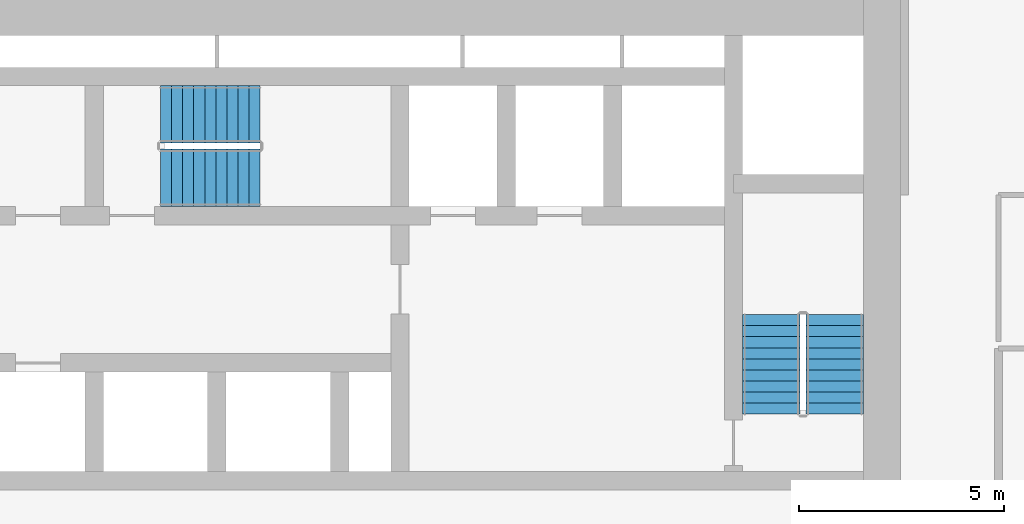
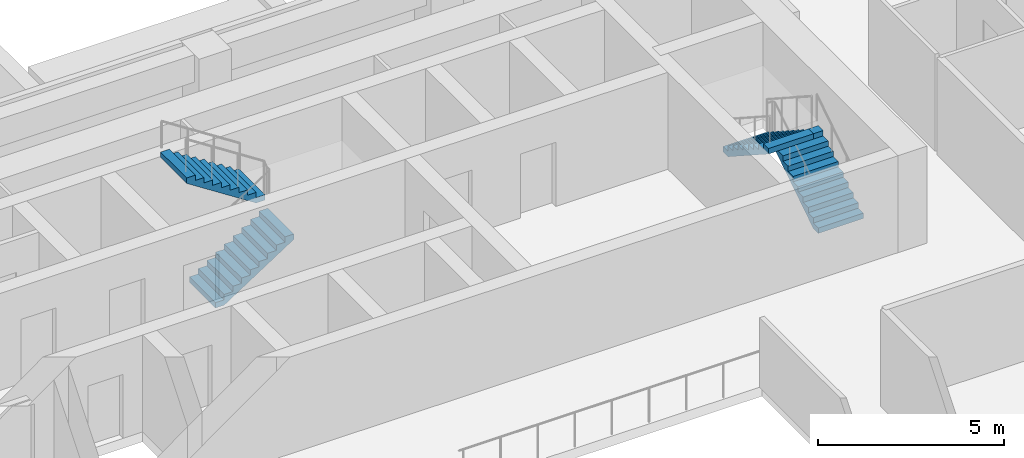
# One storey, part 13 of 17: 4 stair flights, 2 elements without a shape of their own.
"""IFC4 building model written with IfcOpenShell, lengths in metres."""

from ifc_helpers import new_model, si_unit, direction, frame, origin, place, context, subcontext, project, spatial, polyline, outline, extrude, material, layer, layer_set, type_object, element, aggregate, save


model = new_model("IFC4")

# Units and contexts
model_context = context("Model", 3, precision=1e-05, world=origin(), true_north=direction((0.0, 1.0)))
body_context = subcontext(model_context, "Body", "Model", "MODEL_VIEW")
ifc_project = project(units=[si_unit("LENGTHUNIT", "METRE"), si_unit("AREAUNIT", "SQUARE_METRE"), si_unit("VOLUMEUNIT", "CUBIC_METRE"), si_unit("PLANEANGLEUNIT", "RADIAN"), si_unit("MASSUNIT", "GRAM", prefix="KILO")], contexts=[model_context])

# Site, building, storey
site_placement = place(None, origin())
site = spatial("IfcSite", under=ifc_project, at=site_placement, CompositionType="ELEMENT")
building_placement = place(site_placement, origin())
building = spatial("IfcBuilding", under=site, at=building_placement, Name="Saffron Iwan Residences", CompositionType="ELEMENT")
storey_placement = place(building_placement, frame((0.0, 0.0, 76.0)))
storey = spatial("IfcBuildingStorey", under=building, at=storey_placement, Name="L19", CompositionType="ELEMENT", Elevation=76.0)

# Stair, stair flights
ifc_material = material(Name="Concrete C50/60", Category="concrete")
stair_type = type_object("IfcStairType", Name="Stair ST-CORE", PredefinedType="HALF_TURN_STAIR", material=ifc_material)
stair_1_placement = place(storey_placement, origin())
stair_1 = element("IfcStair", 1, at=stair_1_placement, inside=storey, type_object=stair_type, Name="L19 Exit Stair ST-C", PredefinedType="HALF_TURN_STAIR")
ifc_layer = layer(ifc_material, 0.14990234375)
ifc_layer_set = layer_set([ifc_layer], Name="Concrete C50/60")
stair_flight_type = type_object("IfcStairFlightType", Name="Stair flight SFL-RC", PredefinedType="STRAIGHT", material=ifc_layer_set)
stair_flight_1_placement = place(storey_placement, frame((53.925048828125, 73.625, 0.0), z_axis=(0.0, 0.0, 1.0), x_axis=(1.0, 0.0, 0.0)))
stair_flight_1 = element("IfcStairFlight", 2, at=stair_flight_1_placement, type_object=stair_flight_type, Name="ST-C flight 1", NumberOfRisers=10, NumberOfTreads=9, PredefinedType="STRAIGHT", RiserHeight=0.175, TreadLength=0.27, context=body_context, shape_type="SweptSolid", body=[
    extrude(outline(polyline([(0.0, 0.0), (0.0, 0.175048828125), (0.27001953125, 0.175048828125), (0.27001953125, 0.35009765625), (0.5400390625, 0.35009765625), (0.5400390625, 0.52490234375), (0.81005859375, 0.52490234375), (0.81005859375, 0.699951171875), (1.080078125, 0.699951171875), (1.080078125, 0.875), (1.35009765625, 0.875), (1.35009765625, 1.050048828125), (1.6201171875, 1.050048828125), (1.6201171875, 1.22509765625), (1.889892578125, 1.22509765625), (1.889892578125, 1.39990234375), (2.159912109375, 1.39990234375), (2.159912109375, 1.574951171875), (2.429931640625, 1.574951171875), (2.429931640625, 1.75), (2.429931640625, 1.396484375), (0.275634765625, 0.0), (0.0, 0.0)])), frame((0.0, 0.699951171875, 0.0), z_axis=(0.0, -1.0, 0.0), x_axis=(1.0, 0.0, 0.0)), (0.0, 0.0, 1.0), 1.39990234375),
])
stair_flight_2_placement = place(storey_placement, frame((56.35498046875, 75.175048828125, 1.75), z_axis=(0.0, 0.0, 1.0), x_axis=(-1.0, 0.0, 0.0)))
stair_flight_2 = element("IfcStairFlight", 3, at=stair_flight_2_placement, type_object=stair_flight_type, Name="ST-C flight 2", NumberOfRisers=10, NumberOfTreads=9, PredefinedType="STRAIGHT", RiserHeight=0.175, TreadLength=0.27, context=body_context, shape_type="SweptSolid", body=[
    extrude(outline(polyline([(0.0, 0.0), (0.0, 0.175048828125), (0.27001953125, 0.175048828125), (0.27001953125, 0.35009765625), (0.5400390625, 0.35009765625), (0.5400390625, 0.52490234375), (0.81005859375, 0.52490234375), (0.81005859375, 0.699951171875), (1.080078125, 0.699951171875), (1.080078125, 0.875), (1.35009765625, 0.875), (1.35009765625, 1.050048828125), (1.6201171875, 1.050048828125), (1.6201171875, 1.22509765625), (1.889892578125, 1.22509765625), (1.889892578125, 1.39990234375), (2.159912109375, 1.39990234375), (2.159912109375, 1.574951171875), (2.429931640625, 1.574951171875), (2.429931640625, 1.75), (2.429931640625, 1.396484375), (0.275634765625, 0.0), (0.0, 0.0)])), frame((0.0, 0.699951171875, 0.0), z_axis=(0.0, -1.0, 0.0), x_axis=(1.0, 0.0, 0.0)), (0.0, 0.0, 1.0), 1.39990234375),
])
aggregate(stair_1, [stair_flight_1, stair_flight_2])

stair_2_placement = place(storey_placement, origin())
stair_2 = element("IfcStair", 4, at=stair_2_placement, inside=storey, type_object=stair_type, Name="L19 Exit Stair ST-E", PredefinedType="HALF_TURN_STAIR")
stair_flight_3_placement = place(storey_placement, frame((70.39990234375, 67.85009765625, 0.0), z_axis=(0.0, 0.0, 1.0), x_axis=(0.0, 1.0, 0.0)))
stair_flight_3 = element("IfcStairFlight", 5, at=stair_flight_3_placement, type_object=stair_flight_type, Name="ST-E flight 1", NumberOfRisers=10, NumberOfTreads=9, PredefinedType="STRAIGHT", RiserHeight=0.175, TreadLength=0.27, context=body_context, shape_type="SweptSolid", body=[
    extrude(outline(polyline([(0.0, 0.0), (0.0, 0.175048828125), (0.27001953125, 0.175048828125), (0.27001953125, 0.35009765625), (0.5400390625, 0.35009765625), (0.5400390625, 0.52490234375), (0.81005859375, 0.52490234375), (0.81005859375, 0.699951171875), (1.080078125, 0.699951171875), (1.080078125, 0.875), (1.35009765625, 0.875), (1.35009765625, 1.050048828125), (1.6201171875, 1.050048828125), (1.6201171875, 1.22509765625), (1.889892578125, 1.22509765625), (1.889892578125, 1.39990234375), (2.159912109375, 1.39990234375), (2.159912109375, 1.574951171875), (2.429931640625, 1.574951171875), (2.429931640625, 1.75), (2.429931640625, 1.396484375), (0.275634765625, 0.0), (0.0, 0.0)])), frame((0.0, 0.699951171875, 0.0), z_axis=(0.0, -1.0, 0.0), x_axis=(1.0, 0.0, 0.0)), (0.0, 0.0, 1.0), 1.39990234375),
])
stair_flight_4_placement = place(storey_placement, frame((68.85009765625, 70.280029296875, 1.75), z_axis=(0.0, 0.0, 1.0), x_axis=(0.0, -1.0, 0.0)))
stair_flight_4 = element("IfcStairFlight", 6, at=stair_flight_4_placement, type_object=stair_flight_type, Name="ST-E flight 2", NumberOfRisers=10, NumberOfTreads=9, PredefinedType="STRAIGHT", RiserHeight=0.175, TreadLength=0.27, context=body_context, shape_type="SweptSolid", body=[
    extrude(outline(polyline([(0.0, 0.0), (0.0, 0.175048828125), (0.27001953125, 0.175048828125), (0.27001953125, 0.35009765625), (0.5400390625, 0.35009765625), (0.5400390625, 0.52490234375), (0.81005859375, 0.52490234375), (0.81005859375, 0.699951171875), (1.080078125, 0.699951171875), (1.080078125, 0.875), (1.35009765625, 0.875), (1.35009765625, 1.050048828125), (1.6201171875, 1.050048828125), (1.6201171875, 1.22509765625), (1.889892578125, 1.22509765625), (1.889892578125, 1.39990234375), (2.159912109375, 1.39990234375), (2.159912109375, 1.574951171875), (2.429931640625, 1.574951171875), (2.429931640625, 1.75), (2.429931640625, 1.396484375), (0.275634765625, 0.0), (0.0, 0.0)])), frame((0.0, 0.699951171875, 0.0), z_axis=(0.0, -1.0, 0.0), x_axis=(1.0, 0.0, 0.0)), (0.0, 0.0, 1.0), 1.39990234375),
])
aggregate(stair_2, [stair_flight_3, stair_flight_4])

save(model, "model.ifc")
